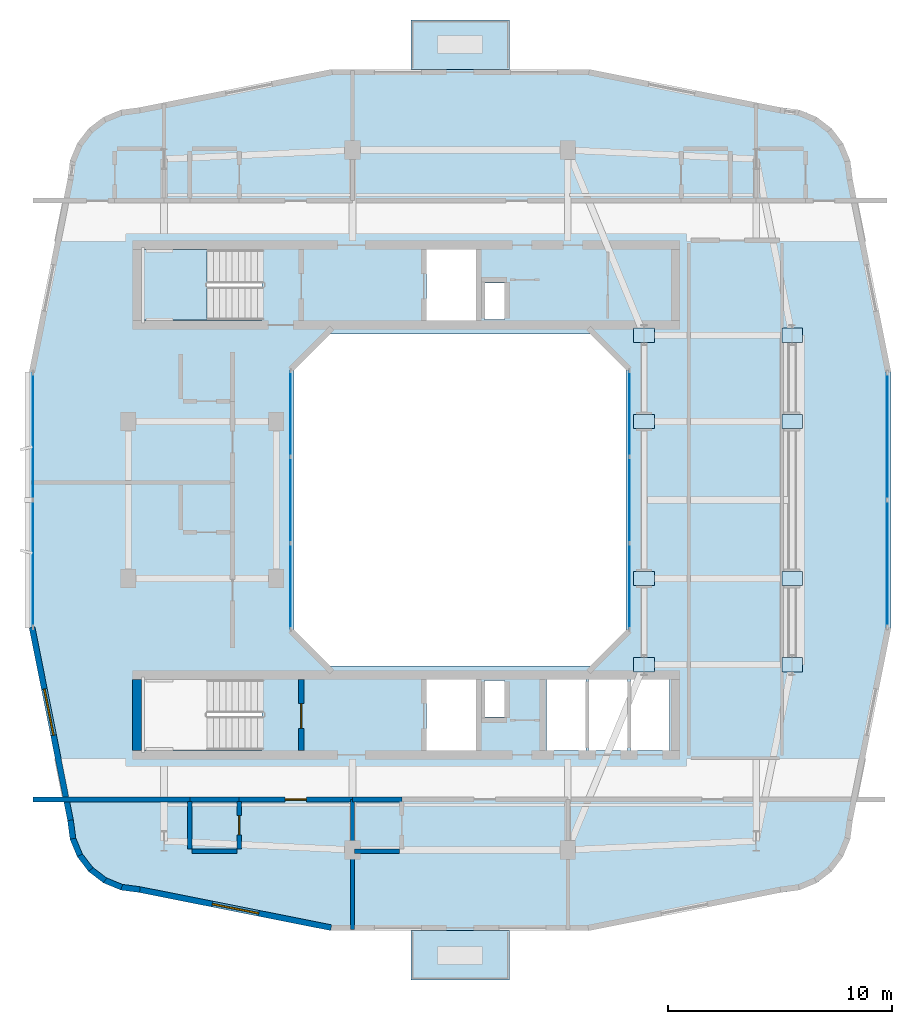
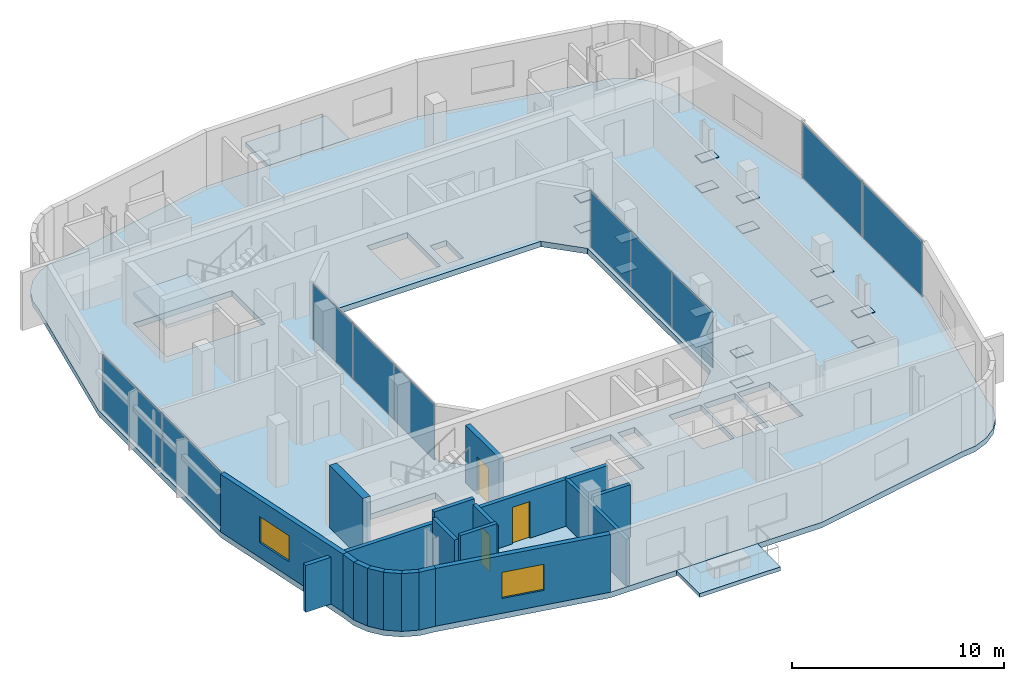
# One storey, part 5 of 13: 26 plates, 19 walls, 4 slabs, 3 doors, 2 windows, 5 openings, 5 elements without a shape of their own.
"""IFC4 building model written with IfcOpenShell, lengths in metres."""

from ifc_helpers import new_model, si_unit, derived_unit, direction, frame, frame_2d, origin, origin_2d, place, context, subcontext, project, spatial, polyline, rectangle, outline, extrude, material, layer, layer_set, type_object, element, fill, aggregate, save


model = new_model("IFC4")

# Units and contexts
model_context = context("Model", 3, precision=1e-05, world=origin(), true_north=direction((0.0, 1.0)))
body_context = subcontext(model_context, "Body", "Model", "MODEL_VIEW")
ifc_project = project(units=[si_unit("LENGTHUNIT", "METRE"), si_unit("AREAUNIT", "SQUARE_METRE"), si_unit("VOLUMEUNIT", "CUBIC_METRE"), si_unit("PLANEANGLEUNIT", "RADIAN"), si_unit("MASSUNIT", "GRAM", prefix="KILO"), derived_unit("THERMALTRANSMITTANCEUNIT", [(si_unit("POWERUNIT", "WATT"), 1), (si_unit("LENGTHUNIT", "METRE"), -2), (si_unit("THERMODYNAMICTEMPERATUREUNIT", "KELVIN"), -1)])], contexts=[model_context])

# Site, building, storey
site_placement = place(None, origin())
site = spatial("IfcSite", under=ifc_project, at=site_placement, CompositionType="ELEMENT")
building_placement = place(site_placement, origin())
building = spatial("IfcBuilding", under=site, at=building_placement, Name="Kivonza Crest Hotel", CompositionType="ELEMENT")
storey_placement = place(building_placement, frame((0.0, 0.0, 199.10009765625)))
storey = spatial("IfcBuildingStorey", under=building, at=storey_placement, Name="L54", CompositionType="ELEMENT", Elevation=199.10009765625)

# Curtain wall, plates
ifc_material_1 = material(Name="Anodised bronze aluminium and low-E double glazing", Category="aluminium")
ifc_layer_1 = layer(ifc_material_1, 0.159912109375)
ifc_layer_set_1 = layer_set([ifc_layer_1], Name="Anodised bronze aluminium and low-E double glazing")
curtain_wall_type_1 = type_object("IfcCurtainWallType", Name="CW-SYS-5", PredefinedType="NOTDEFINED", material=ifc_layer_set_1)
curtain_wall_1_placement = place(storey_placement, origin())
curtain_wall_1 = element("IfcCurtainWall", 1, at=curtain_wall_1_placement, inside=storey, type_object=curtain_wall_type_1, Name="L54 unitised curtain wall CW-WELL-T1-L54-3", PredefinedType="NOTDEFINED")
ifc_material_2 = material(Name="Solar-control low-E double glazing", Category="glass")
ifc_layer_2 = layer(ifc_material_2, 0.028076171875)
ifc_layer_set_2 = layer_set([ifc_layer_2], Name="Solar-control low-E double glazing")
plate_type_1 = type_object("IfcPlateType", Name="CW-PNL-28", PredefinedType="CURTAIN_PANEL", material=ifc_layer_set_2)
plate_1_placement = place(storey_placement, frame((28.56005859375, 21.149658203125, 0.06494140625), z_axis=(0.0, 0.0, 1.0), x_axis=(0.0, 1.0, 0.0)))
plate_1 = element("IfcPlate", 2, at=plate_1_placement, type_object=plate_type_1, Name="CW-5 panel 1.1", PredefinedType="CURTAIN_PANEL", context=body_context, shape_type="SweptSolid", body=[
    extrude(rectangle(XDim=3.769287109375, YDim=0.028076171875, at=origin_2d()), origin(), (0.0, 0.0, 1.0), 3.18994140625),
])
plate_2_placement = place(storey_placement, frame((28.56005859375, 25.0, 0.06494140625), z_axis=(0.0, 0.0, 1.0), x_axis=(0.0, 1.0, 0.0)))
plate_2 = element("IfcPlate", 3, at=plate_2_placement, type_object=plate_type_1, Name="CW-5 panel 2.1", PredefinedType="CURTAIN_PANEL", context=body_context, shape_type="SweptSolid", body=[
    extrude(rectangle(XDim=3.8017578125, YDim=0.028076171875, at=origin_2d()), origin(), (0.0, 0.0, 1.0), 3.18994140625),
])
plate_3_placement = place(storey_placement, frame((28.56005859375, 28.850341796875, 0.06494140625), z_axis=(0.0, 0.0, 1.0), x_axis=(0.0, 1.0, 0.0)))
plate_3 = element("IfcPlate", 4, at=plate_3_placement, type_object=plate_type_1, Name="CW-5 panel 3.1", PredefinedType="CURTAIN_PANEL", context=body_context, shape_type="SweptSolid", body=[
    extrude(rectangle(XDim=3.769287109375, YDim=0.028076171875, at=origin_2d()), origin(), (0.0, 0.0, 1.0), 3.18994140625),
])
aggregate(curtain_wall_1, [plate_1, plate_2, plate_3])

curtain_wall_2_placement = place(storey_placement, origin())
curtain_wall_2 = element("IfcCurtainWall", 5, at=curtain_wall_2_placement, inside=storey, type_object=curtain_wall_type_1, Name="L54 unitised curtain wall CW-WELL-T1-L54-7", PredefinedType="NOTDEFINED")
plate_4_placement = place(storey_placement, frame((13.43994140625, 28.850341796875, 0.06494140625), z_axis=(0.0, 0.0, 1.0), x_axis=(0.0, -1.0, 0.0)))
plate_4 = element("IfcPlate", 6, at=plate_4_placement, type_object=plate_type_1, Name="CW-5 panel 1.1", PredefinedType="CURTAIN_PANEL", context=body_context, shape_type="SweptSolid", body=[
    extrude(rectangle(XDim=3.769287109375, YDim=0.028076171875, at=origin_2d()), origin(), (0.0, 0.0, 1.0), 3.18994140625),
])
plate_5_placement = place(storey_placement, frame((13.43994140625, 25.0, 0.06494140625), z_axis=(0.0, 0.0, 1.0), x_axis=(0.0, -1.0, 0.0)))
plate_5 = element("IfcPlate", 7, at=plate_5_placement, type_object=plate_type_1, Name="CW-5 panel 2.1", PredefinedType="CURTAIN_PANEL", context=body_context, shape_type="SweptSolid", body=[
    extrude(rectangle(XDim=3.8017578125, YDim=0.028076171875, at=origin_2d()), origin(), (0.0, 0.0, 1.0), 3.18994140625),
])
plate_6_placement = place(storey_placement, frame((13.43994140625, 21.149658203125, 0.06494140625), z_axis=(0.0, 0.0, 1.0), x_axis=(0.0, -1.0, 0.0)))
plate_6 = element("IfcPlate", 8, at=plate_6_placement, type_object=plate_type_1, Name="CW-5 panel 3.1", PredefinedType="CURTAIN_PANEL", context=body_context, shape_type="SweptSolid", body=[
    extrude(rectangle(XDim=3.769287109375, YDim=0.028076171875, at=origin_2d()), origin(), (0.0, 0.0, 1.0), 3.18994140625),
])
aggregate(curtain_wall_2, [plate_4, plate_5, plate_6])

ifc_layer_3 = layer(ifc_material_1, 0.179931640625)
ifc_layer_set_3 = layer_set([ifc_layer_3], Name="Anodised bronze aluminium and low-E double glazing")
curtain_wall_type_2 = type_object("IfcCurtainWallType", Name="CW-SYS-3", PredefinedType="NOTDEFINED", material=ifc_layer_set_3)
curtain_wall_3_placement = place(storey_placement, origin())
curtain_wall_3 = element("IfcCurtainWall", 9, at=curtain_wall_3_placement, inside=storey, type_object=curtain_wall_type_2, Name="L54 unitised curtain wall CW-T1-L54-17", PredefinedType="NOTDEFINED")
ifc_material_3 = material(Name="Acoustic triple-laminated low-E glazing", Category="glass")
ifc_layer_4 = layer(ifc_material_3, 0.035888671875)
ifc_layer_set_4 = layer_set([ifc_layer_4], Name="Acoustic triple-laminated low-E glazing")
plate_type_2 = type_object("IfcPlateType", Name="CW-PNL-36", PredefinedType="CURTAIN_PANEL", material=ifc_layer_set_4)
plate_7_placement = place(storey_placement, frame((40.0400390625, 22.15869140625, 0.074951171875), z_axis=(0.0, 0.0, 1.0), x_axis=(0.0, 1.0, 0.0)))
plate_7 = element("IfcPlate", 10, at=plate_7_placement, type_object=plate_type_2, Name="CW-3 panel 1.1", PredefinedType="CURTAIN_PANEL", context=body_context, shape_type="SweptSolid", body=[
    extrude(rectangle(XDim=5.607421875, YDim=0.035888671875, at=origin_2d()), origin(), (0.0, 0.0, 1.0), 3.169921875),
])
plate_8_placement = place(storey_placement, frame((40.0400390625, 27.84130859375, 0.074951171875), z_axis=(0.0, 0.0, 1.0), x_axis=(0.0, 1.0, 0.0)))
plate_8 = element("IfcPlate", 11, at=plate_8_placement, type_object=plate_type_2, Name="CW-3 panel 2.1", PredefinedType="CURTAIN_PANEL", context=body_context, shape_type="SweptSolid", body=[
    extrude(rectangle(XDim=5.607421875, YDim=0.035888671875, at=origin_2d()), origin(), (0.0, 0.0, 1.0), 3.169921875),
])
aggregate(curtain_wall_3, [plate_7, plate_8])

curtain_wall_4_placement = place(storey_placement, origin())
curtain_wall_4 = element("IfcCurtainWall", 12, at=curtain_wall_4_placement, inside=storey, type_object=curtain_wall_type_2, Name="L54 unitised curtain wall CW-T1-L54-35", PredefinedType="NOTDEFINED")
plate_9_placement = place(storey_placement, frame((1.9599609375, 27.84130859375, 0.074951171875), z_axis=(0.0, 0.0, 1.0), x_axis=(0.0, -1.0, 0.0)))
plate_9 = element("IfcPlate", 13, at=plate_9_placement, type_object=plate_type_2, Name="CW-3 panel 1.1", PredefinedType="CURTAIN_PANEL", context=body_context, shape_type="SweptSolid", body=[
    extrude(rectangle(XDim=5.607421875, YDim=0.035888671875, at=origin_2d()), origin(), (0.0, 0.0, 1.0), 3.169921875),
])
plate_10_placement = place(storey_placement, frame((1.9599609375, 22.15869140625, 0.074951171875), z_axis=(0.0, 0.0, 1.0), x_axis=(0.0, -1.0, 0.0)))
plate_10 = element("IfcPlate", 14, at=plate_10_placement, type_object=plate_type_2, Name="CW-3 panel 2.1", PredefinedType="CURTAIN_PANEL", context=body_context, shape_type="SweptSolid", body=[
    extrude(rectangle(XDim=5.607421875, YDim=0.035888671875, at=origin_2d()), origin(), (0.0, 0.0, 1.0), 3.169921875),
])
aggregate(curtain_wall_4, [plate_9, plate_10])

# Plates
ifc_material_4 = material(Name="Steel S355", Category="steel")
ifc_layer_5 = layer(ifc_material_4, 0.0380859375)
ifc_layer_set_5 = layer_set([ifc_layer_5], Name="Steel S355")
plate_type_3 = type_object("IfcPlateType", Name="PL-NODE-TR1", PredefinedType="SHEET", material=ifc_layer_set_5)
for number, where, z_axis, x_axis, name in (
    (15, (35.800048828125, 17.64990234375, -0.01904296875), (0.0, 0.0, 1.0), (1.0, 0.0, 0.0), "ND-TR1 node gusset and end-cap plate L54 25"),
    (16, (35.800048828125, 21.5, -0.01904296875), (0.0, 0.0, 1.0), (1.0, 0.0, 0.0), "ND-TR1 node gusset and end-cap plate L54 26"),
    (17, (35.800048828125, 17.64990234375, 1.73095703125), (0.0, 0.0, 1.0), (1.0, 0.0, 0.0), "ND-TR1 node gusset and end-cap plate L54 27"),
    (18, (35.800048828125, 21.5, 1.73095703125), (0.0, 0.0, 1.0), (1.0, 0.0, 0.0), "ND-TR1 node gusset and end-cap plate L54 28"),
    (19, (35.800048828125, 28.5, -0.01904296875), (0.0, 0.0, 1.0), (1.0, 0.0, 0.0), "ND-TR1 node gusset and end-cap plate L54 29"),
    (20, (35.800048828125, 28.5, 1.73095703125), (0.0, 0.0, 1.0), (1.0, 0.0, 0.0), "ND-TR1 node gusset and end-cap plate L54 30"),
    (21, (35.800048828125, 32.35009765625, -0.01904296875), (0.0, 0.0, 1.0), (1.0, 0.0, 0.0), "ND-TR1 node gusset and end-cap plate L54 31"),
    (22, (35.800048828125, 32.35009765625, 1.73095703125), (0.0, 0.0, 1.0), (1.0, 0.0, 0.0), "ND-TR1 node gusset and end-cap plate L54 32"),
    (23, (29.199951171875, 17.64990234375, -0.01904296875), (0.0, 0.0, 1.0), (1.0, 0.0, 0.0), "ND-TR1 node gusset and end-cap plate L54 33"),
    (24, (29.199951171875, 21.5, -0.01904296875), (0.0, 0.0, 1.0), (1.0, 0.0, 0.0), "ND-TR1 node gusset and end-cap plate L54 34"),
    (25, (29.199951171875, 17.64990234375, 1.73095703125), (0.0, 0.0, 1.0), (1.0, 0.0, 0.0), "ND-TR1 node gusset and end-cap plate L54 35"),
    (26, (29.199951171875, 21.5, 1.73095703125), (0.0, 0.0, 1.0), (1.0, 0.0, 0.0), "ND-TR1 node gusset and end-cap plate L54 36"),
    (27, (29.199951171875, 28.5, -0.01904296875), (0.0, 0.0, 1.0), (1.0, 0.0, 0.0), "ND-TR1 node gusset and end-cap plate L54 37"),
    (28, (29.199951171875, 28.5, 1.73095703125), (0.0, 0.0, 1.0), (1.0, 0.0, 0.0), "ND-TR1 node gusset and end-cap plate L54 38"),
    (29, (29.199951171875, 32.35009765625, -0.01904296875), (0.0, 0.0, 1.0), (1.0, 0.0, 0.0), "ND-TR1 node gusset and end-cap plate L54 39"),
    (30, (29.199951171875, 32.35009765625, 1.73095703125), (0.0, 0.0, 1.0), (1.0, 0.0, 0.0), "ND-TR1 node gusset and end-cap plate L54 40"),
):
    element("IfcPlate", number, at=place(storey_placement, frame(where, z_axis=z_axis, x_axis=x_axis)), inside=storey, type_object=plate_type_3, Name=name, PredefinedType="SHEET", context=body_context, shape_type="SweptSolid", body=[
        extrude(rectangle(XDim=0.919921875, YDim=0.639892578125, at=origin_2d()), origin(), (0.0, 0.0, 1.0), 0.0380859375),
    ])

# Stair, slab
ifc_material_5 = material(Name="Concrete C40/50", Category="concrete")
stair_type = type_object("IfcStairType", Name="ST-DL-20R", PredefinedType="HALF_TURN_STAIR", material=ifc_material_5)
stair_placement = place(storey_placement, origin())
stair = element("IfcStair", 31, at=stair_placement, inside=storey, type_object=stair_type, Name="L54 Protected Exit Stair ST-T1-N", PredefinedType="HALF_TURN_STAIR")
ifc_layer_6 = layer(ifc_material_5, 0.199951171875)
ifc_layer_set_6 = layer_set([ifc_layer_6], Name="Concrete C40/50")
slab_type_1 = type_object("IfcSlabType", Name="SL-LAND-200", PredefinedType="LANDING", material=ifc_layer_set_6)
slab_1_placement = place(storey_placement, frame((0.0, 0.0, 1.599853515625)))
slab_1 = element("IfcSlab", 32, at=slab_1_placement, type_object=slab_type_1, Name="ST-T1-N landing 1", PredefinedType="LANDING", context=body_context, shape_type="SweptSolid", body=[
    extrude(outline(polyline([(9.719970703125, 36.159912109375), (6.800048828125, 36.159912109375), (6.800048828125, 33.02001953125), (9.719970703125, 33.02001953125), (9.719970703125, 36.159912109375)])), origin(), (0.0, 0.0, 1.0), 0.199951171875),
])
aggregate(stair, [slab_1])

# Slabs
ifc_layer_7 = layer(ifc_material_5, 0.320068359375)
ifc_layer_set_7 = layer_set([ifc_layer_7], Name="Concrete C40/50")
slab_type_2 = type_object("IfcSlabType", Name="SL-REF-320", PredefinedType="FLOOR", material=ifc_layer_set_7)
slab_2_placement = place(storey_placement, frame((0.0, 0.0, -0.320068359375)))
element("IfcSlab", 33, at=slab_2_placement, inside=storey, type_object=slab_type_2, Name="Tower T1 L54 floor slab", PredefinedType="FLOOR", context=body_context, shape_type="SweptSolid", body=[
    extrude(outline(polyline([(3.5, 10.699951171875), (3.60888671875, 9.8720703125), (3.928955078125, 9.10009765625), (4.43701171875, 8.43701171875), (5.10009765625, 7.928955078125), (5.8720703125, 7.60888671875), (6.699951171875, 7.5), (15.239990234375, 5.800048828125), (26.760009765625, 5.800048828125), (35.300048828125, 7.5), (36.1279296875, 7.60888671875), (36.89990234375, 7.928955078125), (37.56298828125, 8.43701171875), (38.071044921875, 9.10009765625), (38.39111328125, 9.8720703125), (38.5, 10.699951171875), (40.199951171875, 19.239990234375), (40.199951171875, 30.760009765625), (38.5, 39.300048828125), (38.39111328125, 40.1279296875), (38.071044921875, 40.89990234375), (37.56298828125, 41.56298828125), (36.89990234375, 42.071044921875), (36.1279296875, 42.39111328125), (35.300048828125, 42.5), (26.760009765625, 44.199951171875), (15.239990234375, 44.199951171875), (6.699951171875, 42.5), (5.8720703125, 42.39111328125), (5.10009765625, 42.071044921875), (4.43701171875, 41.56298828125), (3.928955078125, 40.89990234375), (3.60888671875, 40.1279296875), (3.5, 39.300048828125), (1.800048828125, 30.760009765625), (1.800048828125, 19.239990234375), (3.5, 10.699951171875)]), holes=[polyline([(15.199951171875, 17.60009765625), (26.800048828125, 17.60009765625), (28.39990234375, 19.199951171875), (28.39990234375, 30.800048828125), (26.800048828125, 32.39990234375), (15.199951171875, 32.39990234375), (13.60009765625, 30.800048828125), (13.60009765625, 19.199951171875), (15.199951171875, 17.60009765625)]), polyline([(6.800048828125, 33.02001953125), (12.159912109375, 33.02001953125), (12.159912109375, 36.159912109375), (6.800048828125, 36.159912109375), (6.800048828125, 33.02001953125)]), polyline([(6.800048828125, 13.860107421875), (12.159912109375, 13.860107421875), (12.159912109375, 17.0), (6.800048828125, 17.0), (6.800048828125, 13.860107421875)]), polyline([(22.080078125, 33.0400390625), (22.969970703125, 33.0400390625), (22.969970703125, 34.679931640625), (22.080078125, 34.679931640625), (22.080078125, 33.0400390625)]), polyline([(22.080078125, 15.320068359375), (22.969970703125, 15.320068359375), (22.969970703125, 16.9599609375), (22.080078125, 16.9599609375), (22.080078125, 15.320068359375)]), polyline([(19.5, 33.0), (21.699951171875, 33.0), (21.699951171875, 36.159912109375), (19.5, 36.159912109375), (19.5, 33.0)]), polyline([(19.5, 13.840087890625), (21.699951171875, 13.840087890625), (21.699951171875, 17.0), (19.5, 17.0), (19.5, 13.840087890625)]), polyline([(24.860107421875, 13.840087890625), (26.60693359375, 13.840087890625), (26.60693359375, 17.0), (24.860107421875, 17.0), (24.860107421875, 13.840087890625)]), polyline([(26.72705078125, 13.840087890625), (28.472900390625, 13.840087890625), (28.472900390625, 17.0), (26.72705078125, 17.0), (26.72705078125, 13.840087890625)]), polyline([(28.593017578125, 13.840087890625), (30.340087890625, 13.840087890625), (30.340087890625, 17.0), (28.593017578125, 17.0), (28.593017578125, 13.840087890625)])]), origin(), (0.0, 0.0, 1.0), 0.320068359375),
])
ifc_layer_8 = layer(ifc_material_5, 0.219970703125)
ifc_layer_set_8 = layer_set([ifc_layer_8], Name="Concrete C40/50")
slab_type_3 = type_object("IfcSlabType", Name="SL-SKYG-220", PredefinedType="FLOOR", material=ifc_layer_set_8)
slab_3_placement = place(storey_placement, frame((0.0, 0.0, -0.22021484375)))
element("IfcSlab", 34, at=slab_3_placement, inside=storey, type_object=slab_type_3, Name="Tower T1 L54 SW planted sky-garden bridge", PredefinedType="FLOOR", context=body_context, shape_type="SweptSolid", body=[
    extrude(outline(polyline([(18.800048828125, 3.60009765625), (23.199951171875, 3.60009765625), (23.199951171875, 5.800048828125), (18.800048828125, 5.800048828125), (18.800048828125, 3.60009765625)])), origin(), (0.0, 0.0, 1.0), 0.22021484375),
])
slab_4_placement = place(storey_placement, frame((0.0, 0.0, -0.22021484375)))
element("IfcSlab", 35, at=slab_4_placement, inside=storey, type_object=slab_type_3, Name="Tower T1 L54 NE planted sky-garden bridge", PredefinedType="FLOOR", context=body_context, shape_type="SweptSolid", body=[
    extrude(outline(polyline([(18.800048828125, 44.199951171875), (23.199951171875, 44.199951171875), (23.199951171875, 46.39990234375), (18.800048828125, 46.39990234375), (18.800048828125, 44.199951171875)])), origin(), (0.0, 0.0, 1.0), 0.22021484375),
])

# Walls
ifc_material_6 = material(Name="High-density acoustic masonry inter-tenancy wall", Category="masonry")
ifc_layer_9 = layer(ifc_material_6, 0.179931640625)
ifc_layer_set_9 = layer_set([ifc_layer_9], Name="High-density acoustic masonry inter-tenancy wall")
wall_type_1 = type_object("IfcWallType", Name="WL-ACOU-180", PredefinedType="SOLIDWALL", material=ifc_layer_set_9)
wall_1_placement = place(storey_placement, frame((16.199951171875, 5.860107421875, 0.0), z_axis=(0.0, 0.0, 1.0), x_axis=(0.0, 1.0, 0.0)))
element("IfcWall", 36, at=wall_1_placement, inside=storey, type_object=wall_type_1, Name="L54 interior partition WA-L54-T1S-DIV1", PredefinedType="SOLIDWALL", context=body_context, shape_type="SweptSolid", body=[
    extrude(rectangle(XDim=5.789794921875, YDim=0.179931640625, at=frame_2d((2.89501953125, 0.0))), origin(), (0.0, 0.0, 1.0), 2.69482421875),
])
ifc_material_7 = material(Name="Autoclaved aerated concrete blockwork", Category="masonry")
ifc_layer_10 = layer(ifc_material_7, 0.219970703125)
ifc_layer_set_10 = layer_set([ifc_layer_10], Name="Autoclaved aerated concrete blockwork")
wall_type_2 = type_object("IfcWallType", Name="WL-ACOU-220", PredefinedType="SOLIDWALL", material=ifc_layer_set_10)
wall_2_placement = place(storey_placement, frame((1.9599609375, 11.64990234375, 0.0), z_axis=(0.0, 0.0, 1.0), x_axis=(1.0, 0.0, 0.0)))
element("IfcWall", 37, at=wall_2_placement, inside=storey, type_object=wall_type_2, Name="L54 interior partition WA-L54-S05-XCORR", PredefinedType="SOLIDWALL", context=body_context, shape_type="SweptSolid", body=[
    extrude(rectangle(XDim=6.989990234375, YDim=0.219970703125, at=frame_2d((3.4951171875, 0.0))), origin(), (0.0, 0.0, 1.0), 2.69482421875),
])
wall_3_placement = place(storey_placement, frame((8.949951171875, 11.64990234375, 0.0), z_axis=(0.0, 0.0, 1.0), x_axis=(1.0, 0.0, 0.0)))
element("IfcWall", 38, at=wall_3_placement, inside=storey, type_object=wall_type_2, Name="L54 interior partition WA-L54-S05-BCORR", PredefinedType="SOLIDWALL", context=body_context, shape_type="SweptSolid", body=[
    extrude(rectangle(XDim=2.199951171875, YDim=0.219970703125, at=frame_2d((1.10009765625, 0.0))), origin(), (0.0, 0.0, 1.0), 3.31982421875),
])

# Wall, opening, door
wall_4_placement = place(storey_placement, frame((11.14990234375, 11.64990234375, 0.0), z_axis=(0.0, 0.0, 1.0), x_axis=(1.0, 0.0, 0.0)))
wall_4 = element("IfcWall", 39, at=wall_4_placement, inside=storey, type_object=wall_type_2, Name="L54 interior partition WA-L54-S05-MCORR", PredefinedType="SOLIDWALL", context=body_context, shape_type="SweptSolid", body=[
    extrude(rectangle(XDim=5.050048828125, YDim=0.219970703125, at=frame_2d((2.52490234375, 0.0))), origin(), (0.0, 0.0, 1.0), 2.69482421875),
])
opening_1_placement = place(wall_4_placement, frame((2.050048828125, 0.0, 0.0)))
opening_1 = element("IfcOpeningElement", 40, at=opening_1_placement, cuts=wall_4, Name="Opening DU-60", PredefinedType="OPENING", context=body_context, shape_type="SweptSolid", body=[
    extrude(rectangle(XDim=0.949951171875, YDim=2.10009765625, at=frame_2d((0.47509765625, 1.050048828125))), frame((0.0, 0.1201171875, 0.0), z_axis=(0.0, -1.0, 0.0), x_axis=(1.0, 0.0, 0.0)), (0.0, 0.0, 1.0), 0.239990234375),
])
ifc_material_8 = material(Name="Hardwood timber oak", Category="wood")
door_type_1 = type_object("IfcDoorType", Name="DR-UNIT-950", OperationType="NOTDEFINED", PredefinedType="DOOR", material=ifc_material_8)
door_1_placement = place(opening_1_placement, frame((0.949951171875, 0.0, 0.0), z_axis=(0.0, 0.0, 1.0), x_axis=(-1.0, 0.0, 0.0)))
door_1 = element("IfcDoor", 41, at=door_1_placement, inside=storey, type_object=door_type_1, Name="L54 S05 guest unit entrance fire door", OperationType="SINGLE_SWING_LEFT", OverallHeight=2.10009765625, OverallWidth=0.949951171875, PredefinedType="DOOR", context=body_context, shape_type="SweptSolid", body=[
    extrude(rectangle(XDim=0.949951171875, YDim=2.10009765625, at=frame_2d((0.47509765625, 1.050048828125))), frame((0.0, 0.02490234375, 0.0), z_axis=(0.0, -1.0, 0.0), x_axis=(1.0, 0.0, 0.0)), (0.0, 0.0, 1.0), 0.050048828125),
])
fill(opening_1, door_1)

# Walls
wall_5_placement = place(storey_placement, frame((16.199951171875, 11.64990234375, 0.0), z_axis=(0.0, 0.0, 1.0), x_axis=(1.0, 0.0, 0.0)))
element("IfcWall", 42, at=wall_5_placement, inside=storey, type_object=wall_type_2, Name="L54 interior partition WA-L54-S06-BCORR", PredefinedType="SOLIDWALL", context=body_context, shape_type="SweptSolid", body=[
    extrude(rectangle(XDim=2.199951171875, YDim=0.219970703125, at=frame_2d((1.10009765625, 0.0))), origin(), (0.0, 0.0, 1.0), 2.69482421875),
])
ifc_material_9 = material(Name="Concrete C50/60", Category="concrete")
ifc_layer_11 = layer(ifc_material_9, 0.39990234375)
ifc_layer_set_11 = layer_set([ifc_layer_11], Name="Concrete C50/60")
wall_type_3 = type_object("IfcWallType", Name="WL-CORE-400", PredefinedType="SHEAR", material=ifc_layer_set_11)
wall_6_placement = place(storey_placement, frame((6.60009765625, 13.840087890625, 0.0), z_axis=(0.0, 0.0, 1.0), x_axis=(0.0, 1.0, 0.0)))
element("IfcWall", 43, at=wall_6_placement, inside=storey, type_object=wall_type_3, Name="Core wall T1-S West L54", PredefinedType="SHEAR", context=body_context, shape_type="SweptSolid", body=[
    extrude(rectangle(XDim=3.159912109375, YDim=0.39990234375, at=frame_2d((1.580078125, 0.0))), origin(), (0.0, 0.0, 1.0), 3.599853515625),
])
ifc_material_10 = material(Name="Precast concrete C40/50", Category="concrete")
ifc_layer_12 = layer(ifc_material_10, 0.260009765625)
ifc_layer_set_12 = layer_set([ifc_layer_12], Name="Precast concrete C40/50")
wall_type_4 = type_object("IfcWallType", Name="WL-EXT-260", PredefinedType="STANDARD", material=ifc_layer_set_12)
wall_7_placement = place(storey_placement, frame((3.6279296875, 10.72509765625, 0.0), z_axis=(0.0, 0.0, 1.0), x_axis=(0.130954667764, -0.9913883573, 0.0)))
element("IfcWall", 44, at=wall_7_placement, inside=storey, type_object=wall_type_4, Name="L54 T1 exterior insulated wall 1", PredefinedType="STANDARD", context=body_context, shape_type="SweptSolid", body=[
    extrude(rectangle(XDim=0.833251953125, YDim=0.260009765625, at=frame_2d((0.41650390625, 0.0))), origin(), (0.0, 0.0, 1.0), 3.31982421875),
])
wall_8_placement = place(storey_placement, frame((3.718994140625, 9.945068359375, 0.0), z_axis=(0.0, 0.0, 1.0), x_axis=(0.382985169477, -0.923754491172, 0.0)))
element("IfcWall", 45, at=wall_8_placement, inside=storey, type_object=wall_type_4, Name="L54 T1 exterior insulated wall 2", PredefinedType="STANDARD", context=body_context, shape_type="SweptSolid", body=[
    extrude(rectangle(XDim=0.85107421875, YDim=0.260009765625, at=frame_2d((0.425537109375, 0.0))), origin(), (0.0, 0.0, 1.0), 3.31982421875),
])
for number, where, z_axis, x_axis, name in (
    (46, (4.01708984375, 9.198974609375, 0.0), (0.0, 0.0, 1.0), (0.607918988881, -0.793999057278, 0.0), "L54 T1 exterior insulated wall 3"),
    (47, (4.49609375, 8.554931640625, 0.0), (0.0, 0.0, 1.0), (0.793892896323, -0.608057619941, 0.0), "L54 T1 exterior insulated wall 4"),
):
    element("IfcWall", number, at=place(storey_placement, frame(where, z_axis=z_axis, x_axis=x_axis)), inside=storey, type_object=wall_type_4, Name=name, PredefinedType="STANDARD", context=body_context, shape_type="SweptSolid", body=[
        extrude(rectangle(XDim=0.85009765625, YDim=0.260009765625, at=frame_2d((0.425048828125, 0.0))), origin(), (0.0, 0.0, 1.0), 3.31982421875),
    ])
wall_9_placement = place(storey_placement, frame((5.126953125, 8.05908203125, 0.0), z_axis=(0.0, 0.0, 1.0), x_axis=(0.923652976167, -0.383229930484, 0.0)))
element("IfcWall", 48, at=wall_9_placement, inside=storey, type_object=wall_type_4, Name="L54 T1 exterior insulated wall 5", PredefinedType="STANDARD", context=body_context, shape_type="SweptSolid", body=[
    extrude(rectangle(XDim=0.85107421875, YDim=0.260009765625, at=frame_2d((0.425537109375, 0.0))), origin(), (0.0, 0.0, 1.0), 3.31982421875),
])
wall_10_placement = place(storey_placement, frame((5.864013671875, 7.740966796875, 0.0), z_axis=(0.0, 0.0, 1.0), x_axis=(0.991493480548, -0.130156359936, 0.0)))
element("IfcWall", 49, at=wall_10_placement, inside=storey, type_object=wall_type_4, Name="L54 T1 exterior insulated wall 6", PredefinedType="STANDARD", context=body_context, shape_type="SweptSolid", body=[
    extrude(rectangle(XDim=0.868408203125, YDim=0.260009765625, at=frame_2d((0.43408203125, 0.0))), origin(), (0.0, 0.0, 1.0), 3.31982421875),
])

# Wall, opening, window
wall_11_placement = place(storey_placement, frame((6.717041015625, 7.62890625, 0.0), z_axis=(0.0, 0.0, 1.0), x_axis=(0.980748582507, -0.1952747242, 0.0)))
wall_11 = element("IfcWall", 50, at=wall_11_placement, inside=storey, type_object=wall_type_4, Name="L54 T1 exterior insulated wall 7", PredefinedType="STANDARD", context=body_context, shape_type="SweptSolid", body=[
    extrude(rectangle(XDim=8.705322265625, YDim=0.260009765625, at=frame_2d((4.3525390625, 0.0))), origin(), (0.0, 0.0, 1.0), 3.31982421875),
])
opening_2_placement = place(wall_11_placement, frame((3.302978515625, 0.0, 0.85009765625)))
opening_2 = element("IfcOpeningElement", 51, at=opening_2_placement, cuts=wall_11, Name="Opening WN-04", PredefinedType="OPENING", context=body_context, shape_type="SweptSolid", body=[
    extrude(rectangle(XDim=2.10009765625, YDim=1.5, at=frame_2d((1.050048828125, 0.75))), frame((0.0, 0.14013671875, 0.0), z_axis=(0.0, -1.0, 0.0), x_axis=(1.0, 0.0, 0.0)), (0.0, 0.0, 1.0), 0.280029296875),
])
ifc_material_11 = material(Name="Thermally broken bronze aluminium and low-E double glazing", Category="aluminium")
window_type = type_object("IfcWindowType", Name="WN-210x150", PartitioningType="DOUBLE_PANEL_VERTICAL", PredefinedType="WINDOW", material=ifc_material_11)
window_1_placement = place(opening_2_placement, origin())
window_1 = element("IfcWindow", 52, at=window_1_placement, inside=storey, type_object=window_type, Name="L54 T1 facade window 7", OverallHeight=1.5, OverallWidth=2.10009765625, PartitioningType="SINGLE_PANEL", PredefinedType="WINDOW", context=body_context, shape_type="SweptSolid", body=[
    extrude(rectangle(XDim=2.10009765625, YDim=1.5, at=frame_2d((1.050048828125, 0.75))), frame((0.0, 0.030029296875, 0.0), z_axis=(0.0, -1.0, 0.0), x_axis=(1.0, 0.0, 0.0)), (0.0, 0.0, 1.0), 0.06005859375),
])
fill(opening_2, window_1)

wall_12_placement = place(storey_placement, frame((1.916015625, 19.319091796875, 0.0), z_axis=(0.0, 0.0, 1.0), x_axis=(0.195291715883, -0.980745199176, 0.0)))
wall_12 = element("IfcWall", 53, at=wall_12_placement, inside=storey, type_object=wall_type_4, Name="L54 T1 exterior insulated wall 36", PredefinedType="STANDARD", context=body_context, shape_type="SweptSolid", body=[
    extrude(rectangle(XDim=8.77099609375, YDim=0.260009765625, at=frame_2d((4.385498046875, 0.0))), origin(), (0.0, 0.0, 1.0), 3.31982421875),
])
opening_3_placement = place(wall_12_placement, frame((2.798095703125, 0.0, 0.85009765625)))
opening_3 = element("IfcOpeningElement", 54, at=opening_3_placement, cuts=wall_12, Name="Opening WN-04", PredefinedType="OPENING", context=body_context, shape_type="SweptSolid", body=[
    extrude(rectangle(XDim=2.10009765625, YDim=1.5, at=frame_2d((1.050048828125, 0.75))), frame((0.0, 0.14013671875, 0.0), z_axis=(0.0, -1.0, 0.0), x_axis=(1.0, 0.0, 0.0)), (0.0, 0.0, 1.0), 0.280029296875),
])
window_2_placement = place(opening_3_placement, origin())
window_2 = element("IfcWindow", 55, at=window_2_placement, inside=storey, type_object=window_type, Name="L54 T1 facade window 36", OverallHeight=1.5, OverallWidth=2.10009765625, PartitioningType="SINGLE_PANEL", PredefinedType="WINDOW", context=body_context, shape_type="SweptSolid", body=[
    extrude(rectangle(XDim=2.10009765625, YDim=1.5, at=frame_2d((1.050048828125, 0.75))), frame((0.0, 0.030029296875, 0.0), z_axis=(0.0, -1.0, 0.0), x_axis=(1.0, 0.0, 0.0)), (0.0, 0.0, 1.0), 0.06005859375),
])
fill(opening_3, window_2)

# Wall, opening, door
ifc_material_12 = material(Name="Moisture-resistant plumbing chase partition wall", Category="gypsum")
ifc_layer_13 = layer(ifc_material_12, 0.199951171875)
ifc_layer_set_13 = layer_set([ifc_layer_13], Name="Moisture-resistant plumbing chase partition wall")
wall_type_5 = type_object("IfcWallType", Name="WL-PLUMB-200", PredefinedType="PLUMBINGWALL", material=ifc_layer_set_13)
wall_13_placement = place(storey_placement, frame((11.14990234375, 9.449951171875, 0.0), z_axis=(0.0, 0.0, 1.0), x_axis=(0.0, 1.0, 0.0)))
wall_13 = element("IfcWall", 56, at=wall_13_placement, inside=storey, type_object=wall_type_5, Name="L54 interior partition WW-L54-S05-BV", PredefinedType="PLUMBINGWALL", context=body_context, shape_type="SweptSolid", body=[
    extrude(rectangle(XDim=2.10009765625, YDim=0.199951171875, at=frame_2d((1.050048828125, 0.0))), origin(), (0.0, 0.0, 1.0), 3.014892578125),
])
opening_4_placement = place(wall_13_placement, frame((0.625, 0.0, 0.0)))
opening_4 = element("IfcOpeningElement", 57, at=opening_4_placement, cuts=wall_13, Name="Opening DI-85", PredefinedType="OPENING", context=body_context, shape_type="SweptSolid", body=[
    extrude(rectangle(XDim=0.85009765625, YDim=2.10009765625, at=frame_2d((0.425048828125, 1.050048828125))), frame((0.0, 0.10986328125, 0.0), z_axis=(0.0, -1.0, 0.0), x_axis=(1.0, 0.0, 0.0)), (0.0, 0.0, 1.0), 0.219970703125),
])
door_type_2 = type_object("IfcDoorType", Name="DR-INT-850", OperationType="NOTDEFINED", PredefinedType="DOOR", material=ifc_material_8)
door_2_placement = place(opening_4_placement, frame((0.85009765625, 0.0, 0.0), z_axis=(0.0, 0.0, 1.0), x_axis=(-1.0, 0.0, 0.0)))
door_2 = element("IfcDoor", 58, at=door_2_placement, inside=storey, type_object=door_type_2, Name="L54 S05 en-suite bathroom door", OperationType="SINGLE_SWING_RIGHT", OverallHeight=2.10009765625, OverallWidth=0.85009765625, PredefinedType="DOOR", context=body_context, shape_type="SweptSolid", body=[
    extrude(rectangle(XDim=0.85009765625, YDim=2.10009765625, at=frame_2d((0.425048828125, 1.050048828125))), frame((0.0, 0.02490234375, 0.0), z_axis=(0.0, -1.0, 0.0), x_axis=(1.0, 0.0, 0.0)), (0.0, 0.0, 1.0), 0.050048828125),
])
fill(opening_4, door_2)

# Walls
wall_14_placement = place(storey_placement, frame((9.050048828125, 9.35009765625, 0.0), z_axis=(0.0, 0.0, 1.0), x_axis=(1.0, 0.0, 0.0)))
element("IfcWall", 59, at=wall_14_placement, inside=storey, type_object=wall_type_5, Name="L54 interior partition WW-L54-S05-BH", PredefinedType="PLUMBINGWALL", context=body_context, shape_type="SweptSolid", body=[
    extrude(rectangle(XDim=2.0, YDim=0.199951171875, at=frame_2d((1.0, 0.0))), origin(), (0.0, 0.0, 1.0), 3.31982421875),
])
wall_15_placement = place(storey_placement, frame((8.949951171875, 9.449951171875, 0.0), z_axis=(0.0, 0.0, 1.0), x_axis=(0.0, 1.0, 0.0)))
element("IfcWall", 60, at=wall_15_placement, inside=storey, type_object=wall_type_5, Name="L54 interior partition WW-L54-S05-BVW", PredefinedType="PLUMBINGWALL", context=body_context, shape_type="SweptSolid", body=[
    extrude(rectangle(XDim=2.10009765625, YDim=0.199951171875, at=frame_2d((1.050048828125, 0.0))), origin(), (0.0, 0.0, 1.0), 3.014892578125),
])
wall_16_placement = place(storey_placement, frame((16.300048828125, 9.35009765625, 0.0), z_axis=(0.0, 0.0, 1.0), x_axis=(1.0, 0.0, 0.0)))
element("IfcWall", 61, at=wall_16_placement, inside=storey, type_object=wall_type_5, Name="L54 interior partition WW-L54-S06-BH", PredefinedType="PLUMBINGWALL", context=body_context, shape_type="SweptSolid", body=[
    extrude(rectangle(XDim=2.0, YDim=0.199951171875, at=frame_2d((1.0, 0.0))), origin(), (0.0, 0.0, 1.0), 3.014892578125),
])

# Wall, opening, door
ifc_layer_14 = layer(ifc_material_9, 0.25)
ifc_layer_set_14 = layer_set([ifc_layer_14], Name="Concrete C50/60")
wall_type_6 = type_object("IfcWallType", Name="WL-SHAFT-250", PredefinedType="STANDARD", material=ifc_layer_set_14)
wall_17_placement = place(storey_placement, frame((13.925048828125, 13.840087890625, 0.0), z_axis=(0.0, 0.0, 1.0), x_axis=(0.0, 1.0, 0.0)))
wall_17 = element("IfcWall", 62, at=wall_17_placement, inside=storey, type_object=wall_type_6, Name="Core shaft wall T1-S STAIR L54", PredefinedType="STANDARD", context=body_context, shape_type="SweptSolid", body=[
    extrude(rectangle(XDim=3.159912109375, YDim=0.25, at=frame_2d((1.580078125, 0.0))), origin(), (0.0, 0.0, 1.0), 3.31982421875),
])
opening_5_placement = place(wall_17_placement, frame((0.97998046875, 0.0, 0.0)))
opening_5 = element("IfcOpeningElement", 63, at=opening_5_placement, cuts=wall_17, Name="Opening DF-120", PredefinedType="OPENING", context=body_context, shape_type="SweptSolid", body=[
    extrude(rectangle(XDim=1.10009765625, YDim=2.14990234375, at=frame_2d((0.550048828125, 1.074951171875))), frame((0.0, 0.135009765625, 0.0), z_axis=(0.0, -1.0, 0.0), x_axis=(1.0, 0.0, 0.0)), (0.0, 0.0, 1.0), 0.27001953125),
])
ifc_material_13 = material(Name="Galvanised steel", Category="steel")
door_type_3 = type_object("IfcDoorType", Name="DR-FD120-1100", OperationType="NOTDEFINED", PredefinedType="DOOR", material=ifc_material_13)
door_3_placement = place(opening_5_placement, frame((1.10009765625, 0.0, 0.0), z_axis=(0.0, 0.0, 1.0), x_axis=(-1.0, 0.0, 0.0)))
door_3 = element("IfcDoor", 64, at=door_3_placement, inside=storey, type_object=door_type_3, Name="L54 T1-S stair fire door", OperationType="SINGLE_SWING_RIGHT", OverallHeight=2.14990234375, OverallWidth=1.10009765625, PredefinedType="DOOR", context=body_context, shape_type="SweptSolid", body=[
    extrude(rectangle(XDim=1.10009765625, YDim=2.14990234375, at=frame_2d((0.550048828125, 1.074951171875))), frame((0.0, 0.02490234375, 0.0), z_axis=(0.0, -1.0, 0.0), x_axis=(1.0, 0.0, 0.0)), (0.0, 0.0, 1.0), 0.050048828125),
])
fill(opening_5, door_3)

save(model, "model.ifc")
